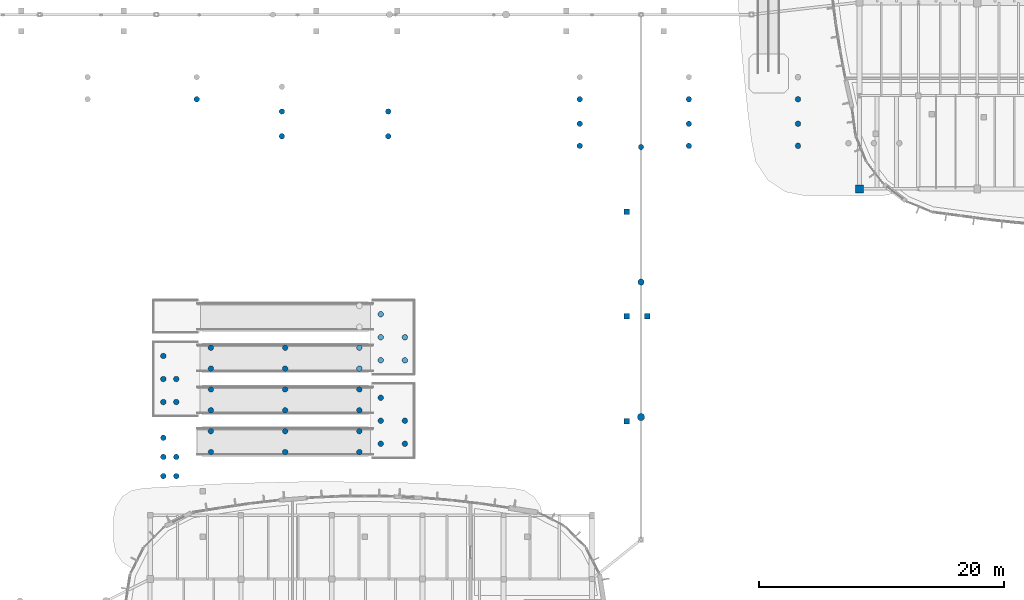
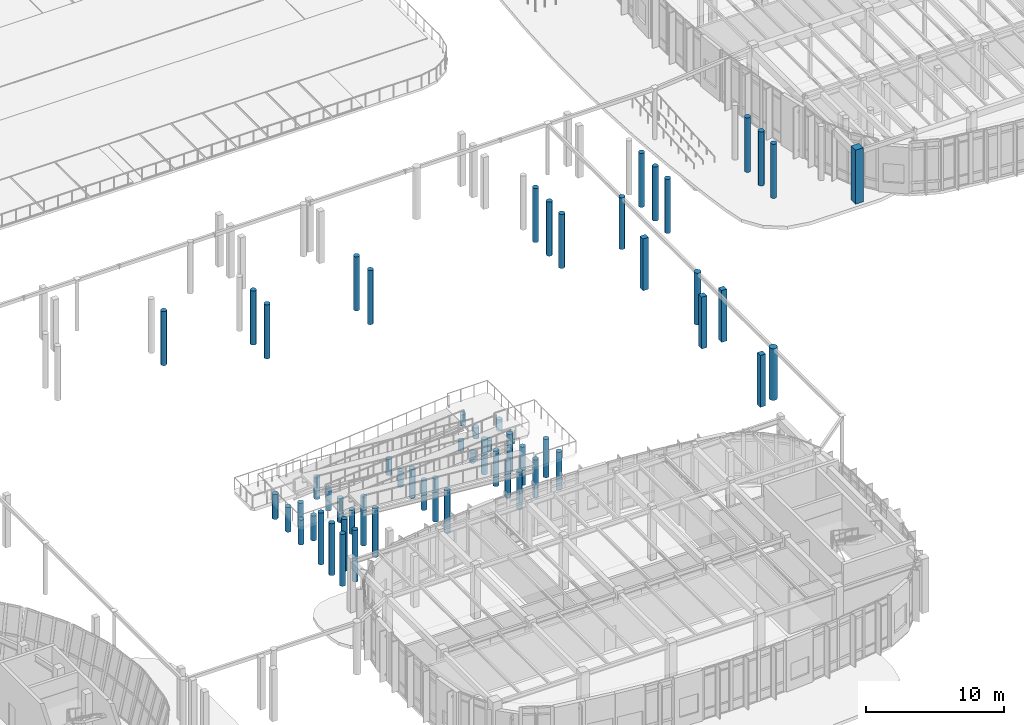
# One storey, part 6 of 120: 60 columns.
"""IFC4 building model written with IfcOpenShell, lengths in metres."""

from ifc_helpers import new_model, si_unit, direction, frame, origin, origin_2d, place, context, subcontext, project, spatial, rectangle, circle, extrude, material, material_profile, profile_set, type_object, element, save


model = new_model("IFC4")

# Units and contexts
model_context = context("Model", 3, precision=1e-05, world=origin(), true_north=direction((0.0, 1.0)))
body_context = subcontext(model_context, "Body", "Model", "MODEL_VIEW")
ifc_project = project(units=[si_unit("LENGTHUNIT", "METRE"), si_unit("AREAUNIT", "SQUARE_METRE"), si_unit("VOLUMEUNIT", "CUBIC_METRE"), si_unit("PLANEANGLEUNIT", "RADIAN"), si_unit("MASSUNIT", "GRAM", prefix="KILO")], contexts=[model_context])

# Site, building, storey
site_placement = place(None, origin())
site = spatial("IfcSite", under=ifc_project, at=site_placement, CompositionType="ELEMENT")
building_placement = place(site_placement, origin())
building = spatial("IfcBuilding", under=site, at=building_placement, Name="Corveleigh Park Community Centre", CompositionType="ELEMENT")
storey_placement = place(building_placement, origin())
storey = spatial("IfcBuildingStorey", under=building, at=storey_placement, Name="L00", CompositionType="ELEMENT", Elevation=0.0)

# Columns
ifc_material = material(Name="Concrete C40/50", Category="concrete")
ifc_material_profile_1 = material_profile(ifc_material, rectangle(XDim=0.449951171875, YDim=0.449951171875, at=origin_2d()), Name="RC-450x450", Category="concrete")
ifc_profile_set_1 = profile_set([ifc_material_profile_1], Name="Concrete C40/50")
column_type_1 = type_object("IfcColumnType", Name="COL-RC-450x450", PredefinedType="COLUMN", material=ifc_profile_set_1)
for number, where, z_axis, x_axis, name in (
    (1, (110.827880859375, 39.674072265625, 0.0), (0.0, 0.0, 1.0), (1.0, 0.0, 0.0), "External deck support pier 234 L00"),
    (2, (110.827880859375, 48.199951171875, 0.0), (0.0, 0.0, 1.0), (1.0, 0.0, 0.0), "External deck support pier 235 L00"),
    (3, (110.827880859375, 56.72607421875, 0.0), (0.0, 0.0, 1.0), (1.0, 0.0, 0.0), "External deck support pier 236 L00"),
    (4, (112.5, 48.199951171875, 0.0), (0.0, 0.0, 1.0), (1.0, 0.0, 0.0), "External deck support pier 237 L00"),
):
    element("IfcColumn", number, at=place(storey_placement, frame(where, z_axis=z_axis, x_axis=x_axis)), inside=storey, type_object=column_type_1, Name=name, PredefinedType="COLUMN", context=body_context, shape_type="SweptSolid", body=[
        extrude(rectangle(XDim=0.449951171875, YDim=0.449951171875, at=origin_2d()), origin(), (0.0, 0.0, 1.0), 4.595947265625),
    ])
ifc_material_profile_2 = material_profile(ifc_material, rectangle(XDim=0.64990234375, YDim=0.64990234375, at=origin_2d()), Name="RC-650x650", Category="concrete")
ifc_profile_set_2 = profile_set([ifc_material_profile_2], Name="Concrete C40/50")
column_type_2 = type_object("IfcColumnType", Name="COL-RC-650x650", PredefinedType="COLUMN", material=ifc_profile_set_2)
column_1_placement = place(storey_placement, frame((129.800048828125, 58.60009765625, 0.0), z_axis=(0.0, 0.0, 1.0), x_axis=(1.0, 0.0, 0.0)))
element("IfcColumn", 5, at=column_1_placement, inside=storey, type_object=column_type_2, Name="Column V4-X0Y0 L00", PredefinedType="COLUMN", context=body_context, shape_type="SweptSolid", body=[
    extrude(rectangle(XDim=0.64990234375, YDim=0.64990234375, at=origin_2d()), origin(), (0.0, 0.0, 1.0), 4.800048828125),
])
ifc_material_profile_3 = material_profile(ifc_material, circle(Radius=0.22509765625, at=origin_2d()), Name="RC-450D", Category="concrete")
ifc_profile_set_3 = profile_set([ifc_material_profile_3], Name="Concrete C40/50")
column_type_3 = type_object("IfcColumnType", Name="COL-RCE-450D", PredefinedType="COLUMN", material=ifc_profile_set_3)
column_2_placement = place(storey_placement, frame((112.0, 62.0, 0.0), z_axis=(0.0, 0.0, 1.0), x_axis=(1.0, 0.0, 0.0)))
element("IfcColumn", 6, at=column_2_placement, inside=storey, type_object=column_type_3, Name="Column V5-E1 L00", PredefinedType="COLUMN", context=body_context, shape_type="SweptSolid", body=[
    extrude(circle(Radius=0.22509765625, at=origin_2d()), origin(), (0.0, 0.0, 1.0), 4.587890625),
])
for number, where, z_axis, x_axis, name in (
    (7, (89.048095703125, 43.949951171875, 0.0), (0.0, 0.0, 1.0), (1.0, 0.0, 0.0), "External deck support pier 78 L00"),
    (8, (89.048095703125, 45.64990234375, 0.0), (0.0, 0.0, 1.0), (1.0, 0.0, 0.0), "External deck support pier 79 L00"),
):
    element("IfcColumn", number, at=place(storey_placement, frame(where, z_axis=z_axis, x_axis=x_axis)), inside=storey, type_object=column_type_3, Name=name, PredefinedType="COLUMN", context=body_context, shape_type="SweptSolid", body=[
        extrude(circle(Radius=0.22509765625, at=origin_2d()), origin(), (0.0, 0.0, 1.0), 0.919921875),
    ])
for number, where, z_axis, x_axis, name in (
    (9, (83.0, 43.949951171875, 0.0), (0.0, 0.0, 1.0), (1.0, 0.0, 0.0), "External deck support pier 80 L00"),
    (10, (83.0, 45.64990234375, 0.0), (0.0, 0.0, 1.0), (1.0, 0.0, 0.0), "External deck support pier 81 L00"),
):
    element("IfcColumn", number, at=place(storey_placement, frame(where, z_axis=z_axis, x_axis=x_axis)), inside=storey, type_object=column_type_3, Name=name, PredefinedType="COLUMN", context=body_context, shape_type="SweptSolid", body=[
        extrude(circle(Radius=0.22509765625, at=origin_2d()), origin(), (0.0, 0.0, 1.0), 1.424072265625),
    ])
for number, where, z_axis, x_axis, name in (
    (11, (76.951904296875, 43.949951171875, 0.0), (0.0, 0.0, 1.0), (1.0, 0.0, 0.0), "External deck support pier 82 L00"),
    (12, (76.951904296875, 45.64990234375, 0.0), (0.0, 0.0, 1.0), (1.0, 0.0, 0.0), "External deck support pier 83 L00"),
):
    element("IfcColumn", number, at=place(storey_placement, frame(where, z_axis=z_axis, x_axis=x_axis)), inside=storey, type_object=column_type_3, Name=name, PredefinedType="COLUMN", context=body_context, shape_type="SweptSolid", body=[
        extrude(circle(Radius=0.22509765625, at=origin_2d()), origin(), (0.0, 0.0, 1.0), 1.927978515625),
    ])
for number, where, z_axis, x_axis, name in (
    (13, (76.951904296875, 40.550048828125, 0.0), (0.0, 0.0, 1.0), (1.0, 0.0, 0.0), "External deck support pier 84 L00"),
    (14, (76.951904296875, 42.25, 0.0), (0.0, 0.0, 1.0), (1.0, 0.0, 0.0), "External deck support pier 85 L00"),
):
    element("IfcColumn", number, at=place(storey_placement, frame(where, z_axis=z_axis, x_axis=x_axis)), inside=storey, type_object=column_type_3, Name=name, PredefinedType="COLUMN", context=body_context, shape_type="SweptSolid", body=[
        extrude(circle(Radius=0.22509765625, at=origin_2d()), origin(), (0.0, 0.0, 1.0), 2.1201171875),
    ])
for number, where, z_axis, x_axis, name in (
    (15, (83.0, 40.550048828125, 0.0), (0.0, 0.0, 1.0), (1.0, 0.0, 0.0), "External deck support pier 86 L00"),
    (16, (83.0, 42.25, 0.0), (0.0, 0.0, 1.0), (1.0, 0.0, 0.0), "External deck support pier 87 L00"),
):
    element("IfcColumn", number, at=place(storey_placement, frame(where, z_axis=z_axis, x_axis=x_axis)), inside=storey, type_object=column_type_3, Name=name, PredefinedType="COLUMN", context=body_context, shape_type="SweptSolid", body=[
        extrude(circle(Radius=0.22509765625, at=origin_2d()), origin(), (0.0, 0.0, 1.0), 2.6240234375),
    ])
for number, where, z_axis, x_axis, name in (
    (17, (89.048095703125, 40.550048828125, 0.0), (0.0, 0.0, 1.0), (1.0, 0.0, 0.0), "External deck support pier 88 L00"),
    (18, (89.048095703125, 42.25, 0.0), (0.0, 0.0, 1.0), (1.0, 0.0, 0.0), "External deck support pier 89 L00"),
):
    element("IfcColumn", number, at=place(storey_placement, frame(where, z_axis=z_axis, x_axis=x_axis)), inside=storey, type_object=column_type_3, Name=name, PredefinedType="COLUMN", context=body_context, shape_type="SweptSolid", body=[
        extrude(circle(Radius=0.22509765625, at=origin_2d()), origin(), (0.0, 0.0, 1.0), 3.1279296875),
    ])
for number, where, z_axis, x_axis, name in (
    (19, (89.048095703125, 37.14990234375, 0.0), (0.0, 0.0, 1.0), (1.0, 0.0, 0.0), "External deck support pier 90 L00"),
    (20, (89.048095703125, 38.85009765625, 0.0), (0.0, 0.0, 1.0), (1.0, 0.0, 0.0), "External deck support pier 91 L00"),
):
    element("IfcColumn", number, at=place(storey_placement, frame(where, z_axis=z_axis, x_axis=x_axis)), inside=storey, type_object=column_type_3, Name=name, PredefinedType="COLUMN", context=body_context, shape_type="SweptSolid", body=[
        extrude(circle(Radius=0.22509765625, at=origin_2d()), origin(), (0.0, 0.0, 1.0), 3.320068359375),
    ])
for number, where, z_axis, x_axis, name in (
    (21, (83.0, 37.14990234375, 0.0), (0.0, 0.0, 1.0), (1.0, 0.0, 0.0), "External deck support pier 92 L00"),
    (22, (83.0, 38.85009765625, 0.0), (0.0, 0.0, 1.0), (1.0, 0.0, 0.0), "External deck support pier 93 L00"),
):
    element("IfcColumn", number, at=place(storey_placement, frame(where, z_axis=z_axis, x_axis=x_axis)), inside=storey, type_object=column_type_3, Name=name, PredefinedType="COLUMN", context=body_context, shape_type="SweptSolid", body=[
        extrude(circle(Radius=0.22509765625, at=origin_2d()), origin(), (0.0, 0.0, 1.0), 3.823974609375),
    ])
for number, where, z_axis, x_axis, name in (
    (23, (76.951904296875, 37.14990234375, 0.0), (0.0, 0.0, 1.0), (1.0, 0.0, 0.0), "External deck support pier 94 L00"),
    (24, (76.951904296875, 38.85009765625, 0.0), (0.0, 0.0, 1.0), (1.0, 0.0, 0.0), "External deck support pier 95 L00"),
):
    element("IfcColumn", number, at=place(storey_placement, frame(where, z_axis=z_axis, x_axis=x_axis)), inside=storey, type_object=column_type_3, Name=name, PredefinedType="COLUMN", context=body_context, shape_type="SweptSolid", body=[
        extrude(circle(Radius=0.22509765625, at=origin_2d()), origin(), (0.0, 0.0, 1.0), 4.327880859375),
    ])
column_3_placement = place(storey_placement, frame((124.7919921875, 65.89990234375, 0.0), z_axis=(0.0, 0.0, 1.0), x_axis=(1.0, 0.0, 0.0)))
element("IfcColumn", 25, at=column_3_placement, inside=storey, type_object=column_type_3, Name="External deck support pier 96 L00", PredefinedType="COLUMN", context=body_context, shape_type="SweptSolid", body=[
    extrude(circle(Radius=0.22509765625, at=origin_2d()), origin(), (0.0, 0.0, 1.0), 4.837890625),
])
for number, where, z_axis, x_axis, name in (
    (26, (115.89990234375, 65.89990234375, 0.0), (0.0, 0.0, 1.0), (1.0, 0.0, 0.0), "External deck support pier 98 L00"),
    (27, (107.008056640625, 65.89990234375, 0.0), (0.0, 0.0, 1.0), (1.0, 0.0, 0.0), "External deck support pier 100 L00"),
    (28, (75.7919921875, 65.89990234375, 0.0), (0.0, 0.0, 1.0), (1.0, 0.0, 0.0), "External deck support pier 102 L00"),
    (29, (107.008056640625, 62.10009765625, 0.0), (0.0, 0.0, 1.0), (1.0, 0.0, 0.0), "External deck support pier 108 L00"),
    (30, (107.008056640625, 63.89990234375, 0.0), (0.0, 0.0, 1.0), (1.0, 0.0, 0.0), "External deck support pier 109 L00"),
    (31, (115.89990234375, 62.10009765625, 0.0), (0.0, 0.0, 1.0), (1.0, 0.0, 0.0), "External deck support pier 110 L00"),
    (32, (115.89990234375, 63.89990234375, 0.0), (0.0, 0.0, 1.0), (1.0, 0.0, 0.0), "External deck support pier 111 L00"),
    (33, (124.7919921875, 62.10009765625, 0.0), (0.0, 0.0, 1.0), (1.0, 0.0, 0.0), "External deck support pier 112 L00"),
    (34, (124.7919921875, 63.89990234375, 0.0), (0.0, 0.0, 1.0), (1.0, 0.0, 0.0), "External deck support pier 113 L00"),
):
    element("IfcColumn", number, at=place(storey_placement, frame(where, z_axis=z_axis, x_axis=x_axis)), inside=storey, type_object=column_type_3, Name=name, PredefinedType="COLUMN", context=body_context, shape_type="SweptSolid", body=[
        extrude(circle(Radius=0.22509765625, at=origin_2d()), origin(), (0.0, 0.0, 1.0), 4.800048828125),
    ])
for number, where, z_axis, x_axis, name in (
    (35, (90.791015625, 44.6240234375, 0.0), (0.0, 0.0, 1.0), (1.0, 0.0, 0.0), "External deck support pier 185 L00"),
    (36, (90.791015625, 46.5, 0.0), (0.0, 0.0, 1.0), (1.0, 0.0, 0.0), "External deck support pier 186 L00"),
    (37, (90.791015625, 48.3759765625, 0.0), (0.0, 0.0, 1.0), (1.0, 0.0, 0.0), "External deck support pier 187 L00"),
    (38, (92.758056640625, 44.6240234375, 0.0), (0.0, 0.0, 1.0), (1.0, 0.0, 0.0), "External deck support pier 188 L00"),
    (39, (92.758056640625, 46.5, 0.0), (0.0, 0.0, 1.0), (1.0, 0.0, 0.0), "External deck support pier 189 L00"),
):
    element("IfcColumn", number, at=place(storey_placement, frame(where, z_axis=z_axis, x_axis=x_axis)), inside=storey, type_object=column_type_3, Name=name, PredefinedType="COLUMN", context=body_context, shape_type="SweptSolid", body=[
        extrude(circle(Radius=0.22509765625, at=origin_2d()), origin(), (0.0, 0.0, 1.0), 1.00390625),
    ])
for number, where, z_axis, x_axis, name in (
    (40, (73.072021484375, 41.22412109375, 0.0), (0.0, 0.0, 1.0), (1.0, 0.0, 0.0), "External deck support pier 190 L00"),
    (41, (73.072021484375, 43.10009765625, 0.0), (0.0, 0.0, 1.0), (1.0, 0.0, 0.0), "External deck support pier 191 L00"),
    (42, (73.072021484375, 44.97607421875, 0.0), (0.0, 0.0, 1.0), (1.0, 0.0, 0.0), "External deck support pier 192 L00"),
    (43, (74.125, 41.22412109375, 0.0), (0.0, 0.0, 1.0), (1.0, 0.0, 0.0), "External deck support pier 193 L00"),
    (44, (74.125, 43.10009765625, 0.0), (0.0, 0.0, 1.0), (1.0, 0.0, 0.0), "External deck support pier 194 L00"),
):
    element("IfcColumn", number, at=place(storey_placement, frame(where, z_axis=z_axis, x_axis=x_axis)), inside=storey, type_object=column_type_3, Name=name, PredefinedType="COLUMN", context=body_context, shape_type="SweptSolid", body=[
        extrude(circle(Radius=0.22509765625, at=origin_2d()), origin(), (0.0, 0.0, 1.0), 2.2041015625),
    ])
for number, where, z_axis, x_axis, name in (
    (45, (90.791015625, 37.823974609375, 0.0), (0.0, 0.0, 1.0), (1.0, 0.0, 0.0), "External deck support pier 195 L00"),
    (46, (90.791015625, 39.699951171875, 0.0), (0.0, 0.0, 1.0), (1.0, 0.0, 0.0), "External deck support pier 196 L00"),
    (47, (90.791015625, 41.575927734375, 0.0), (0.0, 0.0, 1.0), (1.0, 0.0, 0.0), "External deck support pier 197 L00"),
    (48, (92.758056640625, 37.823974609375, 0.0), (0.0, 0.0, 1.0), (1.0, 0.0, 0.0), "External deck support pier 198 L00"),
    (49, (92.758056640625, 39.699951171875, 0.0), (0.0, 0.0, 1.0), (1.0, 0.0, 0.0), "External deck support pier 199 L00"),
):
    element("IfcColumn", number, at=place(storey_placement, frame(where, z_axis=z_axis, x_axis=x_axis)), inside=storey, type_object=column_type_3, Name=name, PredefinedType="COLUMN", context=body_context, shape_type="SweptSolid", body=[
        extrude(circle(Radius=0.22509765625, at=origin_2d()), origin(), (0.0, 0.0, 1.0), 3.404052734375),
    ])
for number, where, z_axis, x_axis, name in (
    (50, (73.072021484375, 35.18896484375, 0.0), (0.0, 0.0, 1.0), (1.0, 0.0, 0.0), "External deck support pier 200 L00"),
    (51, (73.072021484375, 36.75, 0.0), (0.0, 0.0, 1.0), (1.0, 0.0, 0.0), "External deck support pier 201 L00"),
    (52, (73.072021484375, 38.31103515625, 0.0), (0.0, 0.0, 1.0), (1.0, 0.0, 0.0), "External deck support pier 202 L00"),
    (53, (74.125, 35.18896484375, 0.0), (0.0, 0.0, 1.0), (1.0, 0.0, 0.0), "External deck support pier 203 L00"),
    (54, (74.125, 36.75, 0.0), (0.0, 0.0, 1.0), (1.0, 0.0, 0.0), "External deck support pier 204 L00"),
):
    element("IfcColumn", number, at=place(storey_placement, frame(where, z_axis=z_axis, x_axis=x_axis)), inside=storey, type_object=column_type_3, Name=name, PredefinedType="COLUMN", context=body_context, shape_type="SweptSolid", body=[
        extrude(circle(Radius=0.22509765625, at=origin_2d()), origin(), (0.0, 0.0, 1.0), 4.60400390625),
    ])
for number, where, z_axis, x_axis, name in (
    (55, (82.73388671875, 62.884033203125, 0.0), (0.0, 0.0, 1.0), (1.0, 0.0, 0.0), "External deck support pier 242 L00"),
    (56, (82.73388671875, 64.89990234375, 0.0), (0.0, 0.0, 1.0), (1.0, 0.0, 0.0), "External deck support pier 243 L00"),
    (57, (91.39990234375, 62.884033203125, 0.0), (0.0, 0.0, 1.0), (1.0, 0.0, 0.0), "External deck support pier 245 L00"),
    (58, (91.39990234375, 64.89990234375, 0.0), (0.0, 0.0, 1.0), (1.0, 0.0, 0.0), "External deck support pier 246 L00"),
):
    element("IfcColumn", number, at=place(storey_placement, frame(where, z_axis=z_axis, x_axis=x_axis)), inside=storey, type_object=column_type_3, Name=name, PredefinedType="COLUMN", context=body_context, shape_type="SweptSolid", body=[
        extrude(circle(Radius=0.22509765625, at=origin_2d()), origin(), (0.0, 0.0, 1.0), 4.800048828125),
    ])
ifc_material_profile_4 = material_profile(ifc_material, circle(Radius=0.260009765625, at=origin_2d()), Name="RC-520D", Category="concrete")
ifc_profile_set_4 = profile_set([ifc_material_profile_4], Name="Concrete C40/50")
column_type_4 = type_object("IfcColumnType", Name="COL-RCE-520D", PredefinedType="COLUMN", material=ifc_profile_set_4)
column_4_placement = place(storey_placement, frame((112.0, 51.0, 0.0), z_axis=(0.0, 0.0, 1.0), x_axis=(1.0, 0.0, 0.0)))
element("IfcColumn", 59, at=column_4_placement, inside=storey, type_object=column_type_4, Name="Column V5-E2 L00", PredefinedType="COLUMN", context=body_context, shape_type="SweptSolid", body=[
    extrude(circle(Radius=0.260009765625, at=origin_2d()), origin(), (0.0, 0.0, 1.0), 4.587890625),
])
ifc_material_profile_5 = material_profile(ifc_material, circle(Radius=0.300048828125, at=origin_2d()), Name="RC-600D", Category="concrete")
ifc_profile_set_5 = profile_set([ifc_material_profile_5], Name="Concrete C40/50")
column_type_5 = type_object("IfcColumnType", Name="COL-RCE-600D", PredefinedType="COLUMN", material=ifc_profile_set_5)
column_5_placement = place(storey_placement, frame((112.0, 40.0, 0.0), z_axis=(0.0, 0.0, 1.0), x_axis=(1.0, 0.0, 0.0)))
element("IfcColumn", 60, at=column_5_placement, inside=storey, type_object=column_type_5, Name="Column V5-E3 L00", PredefinedType="COLUMN", context=body_context, shape_type="SweptSolid", body=[
    extrude(circle(Radius=0.300048828125, at=origin_2d()), origin(), (0.0, 0.0, 1.0), 4.587890625),
])

save(model, "model.ifc")
